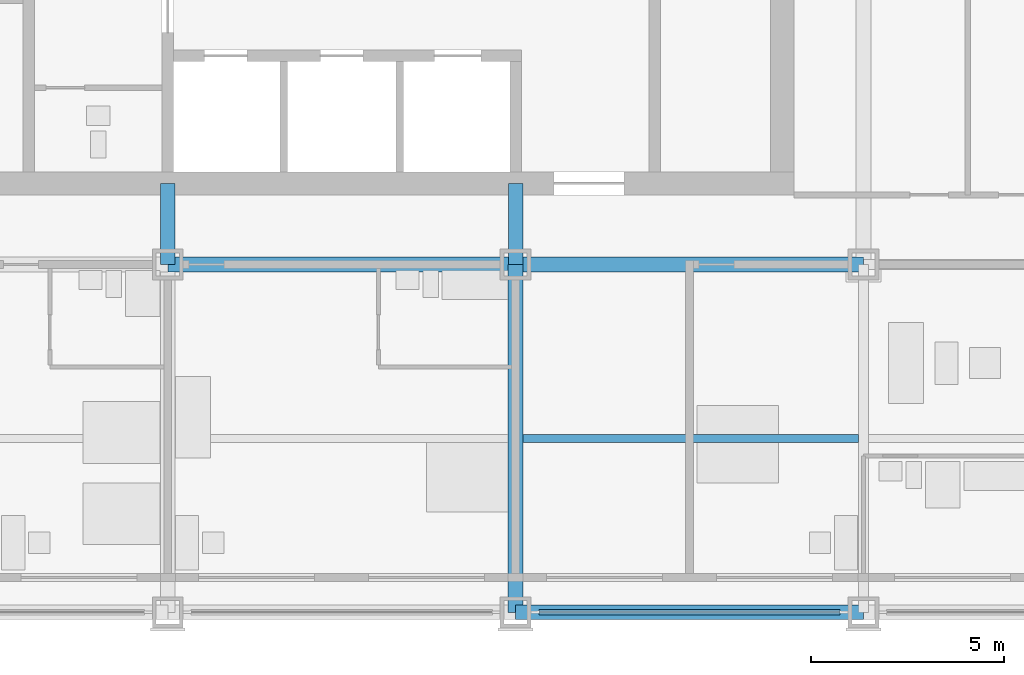
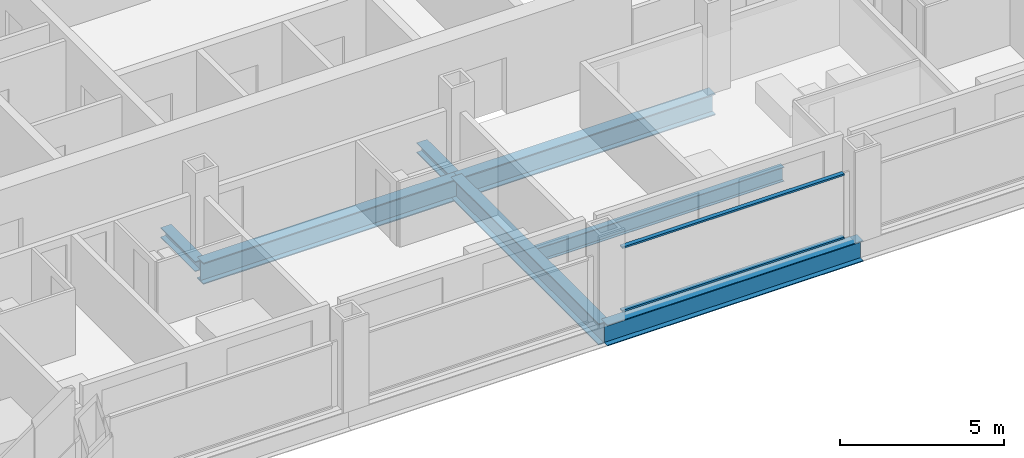
# One storey, part 3 of 18: 5 beams, 4 members, 1 element without a shape of its own.
"""IFC4 building model written with IfcOpenShell, lengths in metres."""

from ifc_helpers import new_model, si_unit, direction, frame, origin, origin_2d, place, context, subcontext, project, spatial, rectangle, i_section, extrude, material, material_profile, profile_set, type_object, element, aggregate, save


model = new_model("IFC4")

# Units and contexts
model_context = context("Model", 3, precision=1e-05, world=origin(), true_north=direction((0.0, 1.0)))
body_context = subcontext(model_context, "Body", "Model", "MODEL_VIEW")
ifc_project = project(units=[si_unit("LENGTHUNIT", "METRE"), si_unit("AREAUNIT", "SQUARE_METRE"), si_unit("VOLUMEUNIT", "CUBIC_METRE"), si_unit("PLANEANGLEUNIT", "RADIAN"), si_unit("MASSUNIT", "GRAM", prefix="KILO")], contexts=[model_context])

# Site, building, storey
site_placement = place(None, origin())
site = spatial("IfcSite", under=ifc_project, at=site_placement, CompositionType="ELEMENT")
building_placement = place(site_placement, origin())
building = spatial("IfcBuilding", under=site, at=building_placement, Name="Loomwork Tower", CompositionType="ELEMENT")
storey_placement = place(building_placement, frame((0.0, 0.0, 38.199951171875)))
storey = spatial("IfcBuildingStorey", under=building, at=storey_placement, Name="L08", CompositionType="ELEMENT", Elevation=38.199951171875)

# Beams
ifc_material_1 = material(Name="Steel ASTM A992", Category="steel")
ifc_material_profile_1 = material_profile(ifc_material_1, i_section(OverallWidth=0.383544921875, OverallDepth=0.794921875, WebThickness=0.02099609375, FlangeThickness=0.0380859375, at=origin_2d()), Name="W30x235")
ifc_profile_set_1 = profile_set([ifc_material_profile_1], Name="Steel ASTM A992")
beam_type_1 = type_object("IfcBeamType", Name="CORE FLANK GIRDER W30x235", PredefinedType="BEAM", material=ifc_profile_set_1)
for number, where, z_axis, x_axis, name in (
    (1, (18.0, 9.0, -0.597412109375), (1.0, 0.0, 0.0), (0.0, 1.0, 0.0), "Core Flank Girder E/4-E/5 L08"),
    (2, (27.0, 9.0, -0.597412109375), (1.0, 0.0, 0.0), (0.0, 1.0, 0.0), "Core Flank Girder E/5-E/6 L08"),
    (3, (27.0, 0.0, -0.597412109375), (0.0, 1.0, 0.0), (-1.0, 0.0, 0.0), "Core Flank Girder D/5-E/5 L08"),
):
    element("IfcBeam", number, at=place(storey_placement, frame(where, z_axis=z_axis, x_axis=x_axis)), inside=storey, type_object=beam_type_1, Name=name, PredefinedType="BEAM", context=body_context, shape_type="SweptSolid", body=[
        extrude(i_section(OverallWidth=0.383544921875, OverallDepth=0.794921875, WebThickness=0.02099609375, FlangeThickness=0.0380859375, at=origin_2d()), origin(), (0.0, 0.0, 1.0), 9.0),
    ])

# Members
ifc_material_2 = material(Name="Steel ASTM A992", Category="steel")
ifc_material_profile_2 = material_profile(ifc_material_2, i_section(OverallWidth=0.373291015625, OverallDepth=0.373291015625, WebThickness=0.016357421875, FlangeThickness=0.026123046875, at=origin_2d()), Name="W14x132")
ifc_profile_set_2 = profile_set([ifc_material_profile_2], Name="Steel ASTM A992")
member_type_1 = type_object("IfcMemberType", Name="CORE LINK STRUT W14x132", PredefinedType="STRUT", material=ifc_profile_set_2)
for number, where, z_axis, x_axis, name in (
    (4, (27.0, 9.0, -0.38671875), (0.0, 1.0, 0.0), (-1.0, 0.0, 0.0), "Core link strut E/5-27.000,11.100 L08"),
    (5, (18.0, 9.0, -0.38671875), (0.0, 1.0, 0.0), (-1.0, 0.0, 0.0), "Core link strut E/4-18.000,11.100 L08"),
):
    element("IfcMember", number, at=place(storey_placement, frame(where, z_axis=z_axis, x_axis=x_axis)), inside=storey, type_object=member_type_1, Name=name, PredefinedType="STRUT", context=body_context, shape_type="SweptSolid", body=[
        extrude(i_section(OverallWidth=0.373291015625, OverallDepth=0.373291015625, WebThickness=0.016357421875, FlangeThickness=0.026123046875, at=origin_2d()), origin(), (0.0, 0.0, 1.0), 2.10009765625),
    ])

# Beam
ifc_material_3 = material(Name="Steel ASTM A992", Category="steel")
ifc_material_profile_3 = material_profile(ifc_material_3, i_section(OverallWidth=0.2109375, OverallDepth=0.53857421875, WebThickness=0.011474609375, FlangeThickness=0.018798828125, at=origin_2d()), Name="W21x73")
ifc_profile_set_3 = profile_set([ifc_material_profile_3], Name="Steel ASTM A992")
beam_type_2 = type_object("IfcBeamType", Name="FLOOR JOIST W21x73", PredefinedType="JOIST", material=ifc_profile_set_3)
beam_1_placement = place(storey_placement, frame((27.19091796875, 4.5, -0.46923828125), z_axis=(1.0, 0.0, 0.0), x_axis=(0.0, 1.0, 0.0)))
element("IfcBeam", 6, at=beam_1_placement, inside=storey, type_object=beam_type_2, Name="Floor Joist 27.000,4.500-36.000,4.500 L08", PredefinedType="JOIST", context=body_context, shape_type="SweptSolid", body=[
    extrude(i_section(OverallWidth=0.2109375, OverallDepth=0.53857421875, WebThickness=0.011474609375, FlangeThickness=0.018798828125, at=origin_2d()), origin(), (0.0, 0.0, 1.0), 8.676025390625),
])

# Curtain wall, members
ifc_material_4 = material(Name="Aluminium curtain wall frame", Category="aluminium")
curtain_wall_type = type_object("IfcCurtainWallType", Name="Outer skin glazing hotel", PredefinedType="NOTDEFINED", material=ifc_material_4)
curtain_wall_placement = place(storey_placement, origin())
curtain_wall = element("IfcCurtainWall", 7, at=curtain_wall_placement, inside=storey, type_object=curtain_wall_type, Name="Outer skin glazing hotel cw/S-27", PredefinedType="NOTDEFINED")
ifc_material_5 = material(Name="Aluminium curtain wall frame", Category="aluminium")
ifc_material_profile_4 = material_profile(ifc_material_5, rectangle(XDim=0.14990234375, YDim=0.06494140625, at=origin_2d()), Name="AL 65x150")
ifc_profile_set_4 = profile_set([ifc_material_profile_4], Name="Aluminium curtain wall frame")
member_type_2 = type_object("IfcMemberType", Name="Outer skin glazing hotel transom", PredefinedType="USERDEFINED", material=ifc_profile_set_4)
member_1_placement = place(storey_placement, frame((27.60009765625, 0.0, 0.032470703125), z_axis=(1.0, 0.0, 0.0), x_axis=(0.0, 1.0, 0.0)))
member_1 = element("IfcMember", 8, at=member_1_placement, type_object=member_type_2, Name="CW1 transom 1.1", ObjectType="TRANSOM", PredefinedType="USERDEFINED", context=body_context, shape_type="SweptSolid", body=[
    extrude(rectangle(XDim=0.14990234375, YDim=0.06494140625, at=origin_2d()), origin(), (0.0, 0.0, 1.0), 7.7998046875),
])
member_2_placement = place(storey_placement, frame((27.60009765625, 0.0, 2.3876953125), z_axis=(1.0, 0.0, 0.0), x_axis=(0.0, 1.0, 0.0)))
member_2 = element("IfcMember", 9, at=member_2_placement, type_object=member_type_2, Name="CW1 transom 1.2", ObjectType="TRANSOM", PredefinedType="USERDEFINED", context=body_context, shape_type="SweptSolid", body=[
    extrude(rectangle(XDim=0.14990234375, YDim=0.06494140625, at=origin_2d()), origin(), (0.0, 0.0, 1.0), 7.7998046875),
])
aggregate(curtain_wall, [member_1, member_2])

# Beam
ifc_material_6 = material(Name="Steel ASTM A992", Category="steel")
ifc_material_profile_5 = material_profile(ifc_material_6, i_section(OverallWidth=0.381103515625, OverallDepth=0.77978515625, WebThickness=0.01806640625, FlangeThickness=0.0302734375, at=origin_2d()), Name="W30x191")
ifc_profile_set_5 = profile_set([ifc_material_profile_5], Name="Steel ASTM A992")
beam_type_3 = type_object("IfcBeamType", Name="SPANDREL GIRDER W30x191", PredefinedType="SPANDREL", material=ifc_profile_set_5)
beam_2_placement = place(storey_placement, frame((27.0, 0.0, -0.58984375), z_axis=(1.0, 0.0, 0.0), x_axis=(0.0, 1.0, 0.0)))
element("IfcBeam", 10, at=beam_2_placement, inside=storey, type_object=beam_type_3, Name="Spandrel Girder D/5-D/6 L08", PredefinedType="SPANDREL", context=body_context, shape_type="SweptSolid", body=[
    extrude(i_section(OverallWidth=0.381103515625, OverallDepth=0.77978515625, WebThickness=0.01806640625, FlangeThickness=0.0302734375, at=origin_2d()), origin(), (0.0, 0.0, 1.0), 9.0),
])

save(model, "model.ifc")
